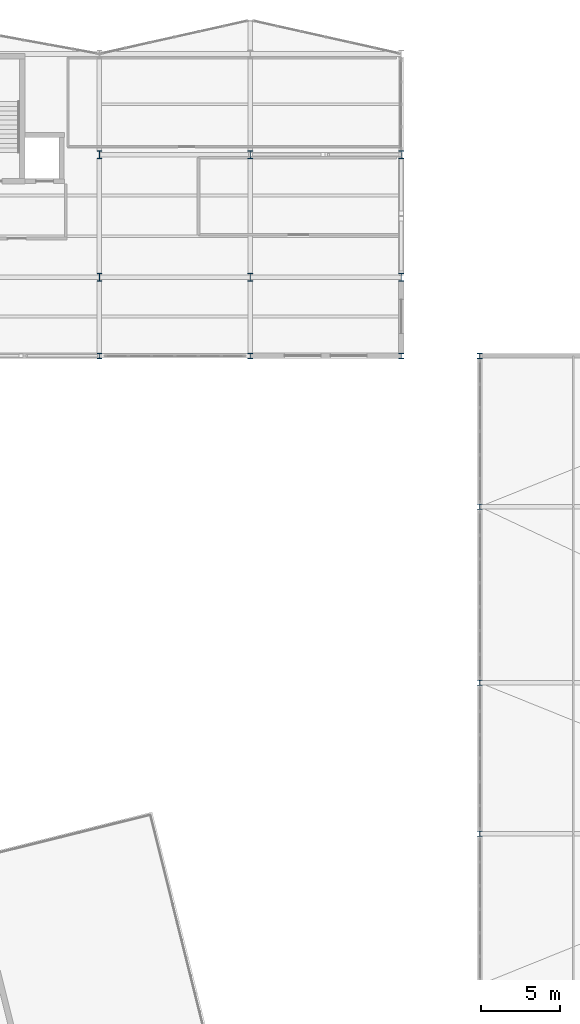
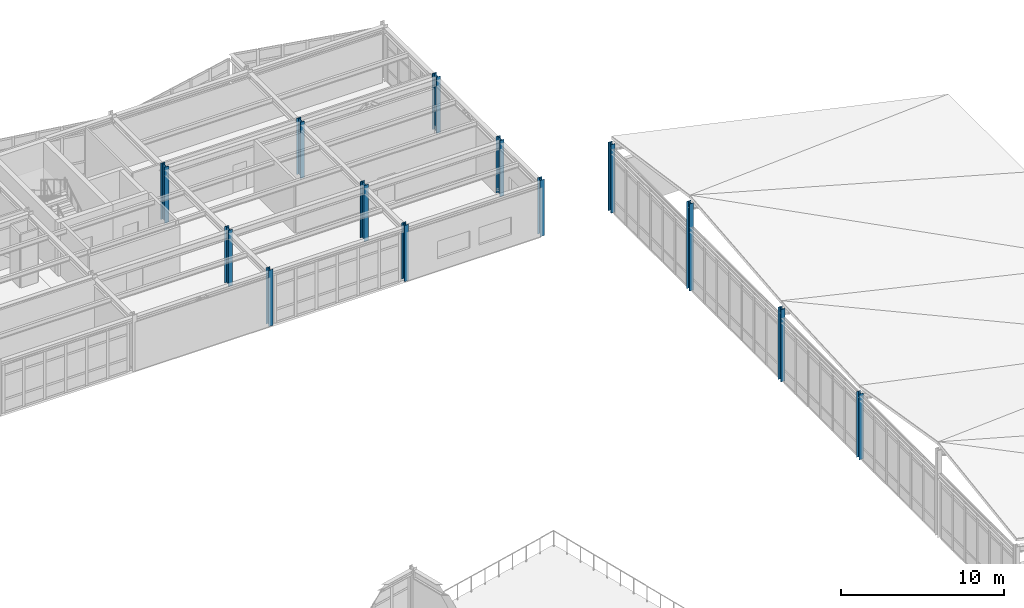
# One storey, part 8 of 64: 13 columns.
"""IFC4 building model written with IfcOpenShell, lengths in metres."""

from ifc_helpers import new_model, si_unit, direction, frame, origin, origin_2d, place, context, subcontext, project, spatial, i_section, extrude, material, material_profile, profile_set, type_object, element, save


model = new_model("IFC4")

# Units and contexts
model_context = context("Model", 3, precision=1e-05, world=origin(), true_north=direction((0.0, 1.0)))
body_context = subcontext(model_context, "Body", "Model", "MODEL_VIEW")
ifc_project = project(units=[si_unit("LENGTHUNIT", "METRE"), si_unit("AREAUNIT", "SQUARE_METRE"), si_unit("VOLUMEUNIT", "CUBIC_METRE"), si_unit("PLANEANGLEUNIT", "RADIAN"), si_unit("MASSUNIT", "GRAM", prefix="KILO")], contexts=[model_context])

# Site, building, storey
site_placement = place(None, origin())
site = spatial("IfcSite", under=ifc_project, at=site_placement, CompositionType="ELEMENT")
building_placement = place(site_placement, origin())
building = spatial("IfcBuilding", under=site, at=building_placement, Name="Nordkorset Police Headquarters", CompositionType="ELEMENT")
storey_placement = place(building_placement, frame((0.0, 0.0, 17.85009765625)))
storey = spatial("IfcBuildingStorey", under=building, at=storey_placement, Name="L04", CompositionType="ELEMENT", Elevation=17.85009765625)

# Columns
ifc_material_1 = material(Name="Steel S355J2", Category="steel")
ifc_material_profile_1 = material_profile(ifc_material_1, i_section(OverallWidth=0.300048828125, OverallDepth=0.340087890625, WebThickness=0.011962890625, FlangeThickness=0.021484375, FilletRadius=0.027099609375, at=origin_2d()), Name="HEB 340")
ifc_profile_set_1 = profile_set([ifc_material_profile_1], Name="Steel S355J2")
column_type_1 = type_object("IfcColumnType", Name="Col_HEB_340", PredefinedType="COLUMN", material=ifc_profile_set_1)
for number, where, z_axis, x_axis, name in (
    (1, (67.199951171875, 97.60009765625, 0.0), (0.0, 0.0, 1.0), (1.0, 0.0, 0.0), "Structural Column V2_Y0_3 L04"),
    (2, (76.800048828125, 97.60009765625, 0.0), (0.0, 0.0, 1.0), (1.0, 0.0, 0.0), "Structural Column V2_Y0_4 L04"),
    (3, (86.39990234375, 97.60009765625, 0.0), (0.0, 0.0, 1.0), (1.0, 0.0, 0.0), "Structural Column V2_Y0_5 L04"),
):
    element("IfcColumn", number, at=place(storey_placement, frame(where, z_axis=z_axis, x_axis=x_axis)), inside=storey, type_object=column_type_1, Name=name, PredefinedType="COLUMN", context=body_context, shape_type="SweptSolid", body=[
        extrude(i_section(OverallWidth=0.300048828125, OverallDepth=0.340087890625, WebThickness=0.011962890625, FlangeThickness=0.021484375, FilletRadius=0.027099609375, at=origin_2d()), origin(), (0.0, 0.0, 1.0), 4.199951171875),
    ])
column_1_placement = place(storey_placement, frame((91.39990234375, 67.199951171875, 0.0), z_axis=(0.0, 0.0, 1.0), x_axis=(1.0, 0.0, 0.0)))
element("IfcColumn", 4, at=column_1_placement, inside=storey, type_object=column_type_1, Name="Gymnasium Clerestory Roof Column V5_X1_2 L04", PredefinedType="COLUMN", context=body_context, shape_type="SweptSolid", body=[
    extrude(i_section(OverallWidth=0.300048828125, OverallDepth=0.340087890625, WebThickness=0.011962890625, FlangeThickness=0.021484375, FilletRadius=0.027099609375, at=origin_2d()), origin(), (0.0, 0.0, 1.0), 4.909912109375),
])
column_2_placement = place(storey_placement, frame((91.39990234375, 76.800048828125, 0.0), z_axis=(0.0, 0.0, 1.0), x_axis=(1.0, 0.0, 0.0)))
element("IfcColumn", 5, at=column_2_placement, inside=storey, type_object=column_type_1, Name="Gymnasium Clerestory Roof Column V5_X1_3 L04", PredefinedType="COLUMN", context=body_context, shape_type="SweptSolid", body=[
    extrude(i_section(OverallWidth=0.300048828125, OverallDepth=0.340087890625, WebThickness=0.011962890625, FlangeThickness=0.021484375, FilletRadius=0.027099609375, at=origin_2d()), origin(), (0.0, 0.0, 1.0), 5.409912109375),
])
column_3_placement = place(storey_placement, frame((91.39990234375, 88.0, 0.0), z_axis=(0.0, 0.0, 1.0), x_axis=(1.0, 0.0, 0.0)))
element("IfcColumn", 6, at=column_3_placement, inside=storey, type_object=column_type_1, Name="Gymnasium Clerestory Roof Column V5_X1_4 L04", PredefinedType="COLUMN", context=body_context, shape_type="SweptSolid", body=[
    extrude(i_section(OverallWidth=0.300048828125, OverallDepth=0.340087890625, WebThickness=0.011962890625, FlangeThickness=0.021484375, FilletRadius=0.027099609375, at=origin_2d()), origin(), (0.0, 0.0, 1.0), 6.510009765625),
])
column_4_placement = place(storey_placement, frame((91.39990234375, 97.60009765625, 0.0), z_axis=(0.0, 0.0, 1.0), x_axis=(1.0, 0.0, 0.0)))
element("IfcColumn", 7, at=column_4_placement, inside=storey, type_object=column_type_1, Name="Gymnasium Clerestory Roof Column V5_X1_5 L04", PredefinedType="COLUMN", context=body_context, shape_type="SweptSolid", body=[
    extrude(i_section(OverallWidth=0.300048828125, OverallDepth=0.340087890625, WebThickness=0.011962890625, FlangeThickness=0.021484375, FilletRadius=0.027099609375, at=origin_2d()), origin(), (0.0, 0.0, 1.0), 5.10986328125),
])
ifc_material_2 = material(Name="Steel S355J2", Category="steel")
ifc_material_profile_2 = material_profile(ifc_material_2, i_section(OverallWidth=0.300048828125, OverallDepth=0.5, WebThickness=0.014404296875, FlangeThickness=0.028076171875, FilletRadius=0.027099609375, at=origin_2d()), Name="HEB 500")
ifc_profile_set_2 = profile_set([ifc_material_profile_2], Name="Steel S355J2")
column_type_2 = type_object("IfcColumnType", Name="Col_HEB_500", PredefinedType="COLUMN", material=ifc_profile_set_2)
for number, where, z_axis, x_axis, name in (
    (8, (67.199951171875, 102.60009765625, 0.0), (0.0, 0.0, 1.0), (1.0, 0.0, 0.0), "Structural Column V2_Y1_3 L04"),
    (9, (67.199951171875, 110.39990234375, 0.0), (0.0, 0.0, 1.0), (1.0, 0.0, 0.0), "Structural Column V2_Y2_3 L04"),
    (10, (76.800048828125, 102.60009765625, 0.0), (0.0, 0.0, 1.0), (1.0, 0.0, 0.0), "Structural Column V2_Y1_4 L04"),
    (11, (76.800048828125, 110.39990234375, 0.0), (0.0, 0.0, 1.0), (1.0, 0.0, 0.0), "Structural Column V2_Y2_4 L04"),
    (12, (86.39990234375, 102.60009765625, 0.0), (0.0, 0.0, 1.0), (1.0, 0.0, 0.0), "Structural Column V2_Y1_5 L04"),
    (13, (86.39990234375, 110.39990234375, 0.0), (0.0, 0.0, 1.0), (1.0, 0.0, 0.0), "Structural Column V2_Y2_5 L04"),
):
    element("IfcColumn", number, at=place(storey_placement, frame(where, z_axis=z_axis, x_axis=x_axis)), inside=storey, type_object=column_type_2, Name=name, PredefinedType="COLUMN", context=body_context, shape_type="SweptSolid", body=[
        extrude(i_section(OverallWidth=0.300048828125, OverallDepth=0.5, WebThickness=0.014404296875, FlangeThickness=0.028076171875, FilletRadius=0.027099609375, at=origin_2d()), origin(), (0.0, 0.0, 1.0), 4.199951171875),
    ])

save(model, "model.ifc")
